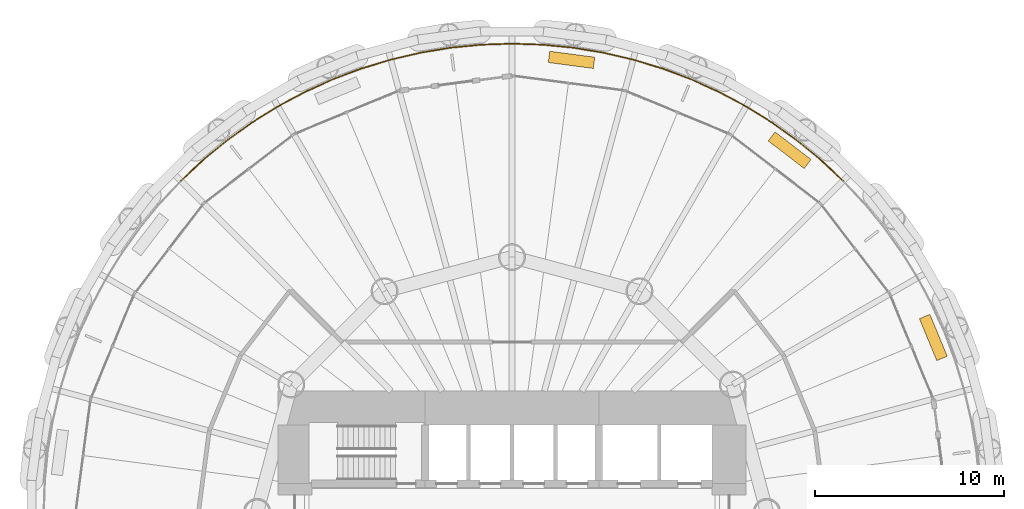
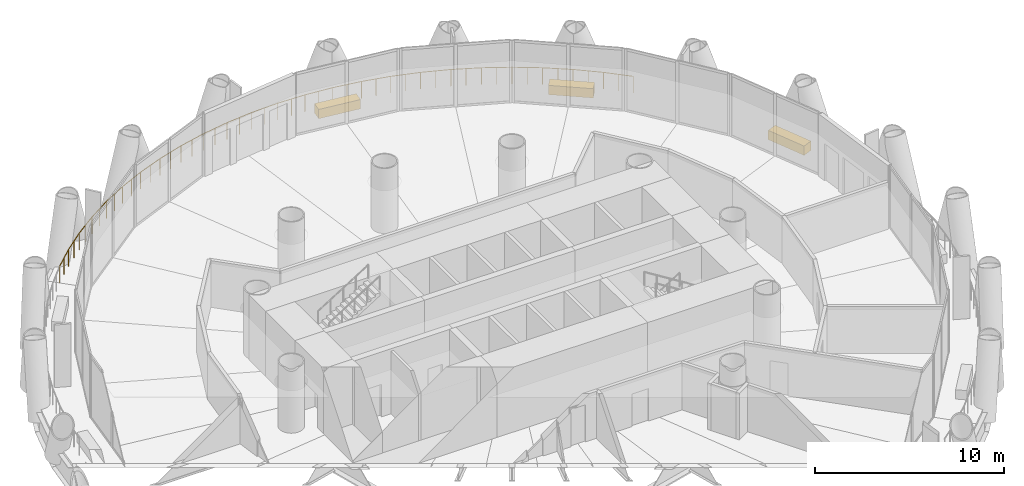
# One storey, part 16 of 16: 3 coverings, 1 railing.
"""IFC4 building model written with IfcOpenShell, lengths in metres."""

from ifc_helpers import new_model, si_unit, direction, frame, origin, origin_2d, place, context, subcontext, project, spatial, rectangle, circle, extrude, material, layer, layer_set, type_object, element, save


model = new_model("IFC4")

# Units and contexts
model_context = context("Model", 3, precision=1e-05, world=origin(), true_north=direction((0.0, 1.0)))
body_context = subcontext(model_context, "Body", "Model", "MODEL_VIEW")
ifc_project = project(units=[si_unit("LENGTHUNIT", "METRE"), si_unit("AREAUNIT", "SQUARE_METRE"), si_unit("VOLUMEUNIT", "CUBIC_METRE"), si_unit("PLANEANGLEUNIT", "RADIAN"), si_unit("MASSUNIT", "GRAM", prefix="KILO")], contexts=[model_context])

# Site, building, storey
site_placement = place(None, origin())
site = spatial("IfcSite", under=ifc_project, at=site_placement, CompositionType="ELEMENT")
building_placement = place(site_placement, origin())
building = spatial("IfcBuilding", under=site, at=building_placement, Name="Qaws Media Tower", CompositionType="ELEMENT")
storey_placement = place(building_placement, frame((0.0, 0.0, 80.60009765625)))
storey = spatial("IfcBuildingStorey", under=building, at=storey_placement, Name="L17", CompositionType="ELEMENT", Elevation=80.60009765625)

# Railing
ifc_material_1 = material(Name="Stainless steel and glass guard", Category="steel")
railing_type = type_object("IfcRailingType", Name="Balcony guard 1100", PredefinedType="GUARDRAIL", material=ifc_material_1)
railing_placement = place(storey_placement, frame((77.5361328125, 67.5361328125, 0.0)))
element("IfcRailing", 1, at=railing_placement, inside=storey, type_object=railing_type, Name="GR1 balcony guard L17-1", PredefinedType="GUARDRAIL", context=body_context, shape_type="SweptSolid", body=[
    extrude(circle(Radius=0.02392578125, at=origin_2d()), frame((0.0, 0.0, 1.076171875), z_axis=(-0.729823335563, 0.683635794022, 0.0), x_axis=(-0.683635794022, -0.729823335563, 0.0)), (0.0, 0.0, 1.0), 1.622802734375),
    extrude(circle(Radius=0.02392578125, at=origin_2d()), frame((-1.184326171875, 1.109375, 1.076171875), z_axis=(-0.773044998385, 0.634351188595, 0.0), x_axis=(-0.634351188595, -0.773044998385, 0.0)), (0.0, 0.0, 1.0), 1.623046875),
    extrude(circle(Radius=0.02392578125, at=origin_2d()), frame((-2.43896484375, 2.138916015625, 1.076171875), z_axis=(-0.812827812024, 0.582504032604, 0.0), x_axis=(-0.582504032604, -0.812827812024, 0.0)), (0.0, 0.0, 1.0), 1.622802734375),
    extrude(circle(Radius=0.02392578125, at=origin_2d()), frame((-3.758056640625, 3.084228515625, 1.076171875), z_axis=(-0.849154052867, 0.528145239967, 0.0), x_axis=(-0.528145239967, -0.849154052867, 0.0)), (0.0, 0.0, 1.0), 1.623046875),
    extrude(circle(Radius=0.02392578125, at=origin_2d()), frame((-5.13623046875, 3.94140625, 1.076171875), z_axis=(-0.881940295508, 0.471361130301, 0.0), x_axis=(-0.471361130301, -0.881940295508, 0.0)), (0.0, 0.0, 1.0), 1.622802734375),
    extrude(circle(Radius=0.02392578125, at=origin_2d()), frame((-6.5673828125, 4.706298828125, 1.076171875), z_axis=(-0.910891239734, 0.412646518677, 0.0), x_axis=(-0.412646518677, -0.910891239734, 0.0)), (0.0, 0.0, 1.0), 1.622802734375),
    extrude(circle(Radius=0.02392578125, at=origin_2d()), frame((-8.045654296875, 5.3759765625, 1.076171875), z_axis=(-0.935877089003, 0.352326658486, 0.0), x_axis=(-0.352326658486, -0.935877089003, 0.0)), (0.0, 0.0, 1.0), 1.622802734375),
    extrude(circle(Radius=0.02392578125, at=origin_2d()), frame((-9.564453125, 5.94775390625, 1.076171875), z_axis=(-0.956923127669, 0.290341398585, 0.0), x_axis=(-0.290341398585, -0.956923127669, 0.0)), (0.0, 0.0, 1.0), 1.622802734375),
    extrude(circle(Radius=0.02392578125, at=origin_2d()), frame((-11.117431640625, 6.4189453125, 1.076171875), z_axis=(-0.973894444351, 0.227001346389, 0.0), x_axis=(-0.227001346389, -0.973894444351, 0.0)), (0.0, 0.0, 1.0), 1.623046875),
    extrude(circle(Radius=0.02392578125, at=origin_2d()), frame((-12.697998046875, 6.787353515625, 1.076171875), z_axis=(-0.986636807112, 0.162934989647, 0.0), x_axis=(-0.162934989647, -0.986636807112, 0.0)), (0.0, 0.0, 1.0), 1.622802734375),
    extrude(circle(Radius=0.02392578125, at=origin_2d()), frame((-14.299072265625, 7.0517578125, 1.076171875), z_axis=(-0.995192364026, 0.097939565983, 0.0), x_axis=(-0.097939565983, -0.995192364026, 0.0)), (0.0, 0.0, 1.0), 1.622802734375),
    extrude(circle(Radius=0.02392578125, at=origin_2d()), frame((-15.9140625, 7.210693359375, 1.076171875), z_axis=(-0.999462135048, 0.032793911114, 0.0), x_axis=(-0.032793911114, -0.999462135048, 0.0)), (0.0, 0.0, 1.0), 1.623046875),
    extrude(circle(Radius=0.02392578125, at=origin_2d()), frame((-17.5361328125, 7.263916015625, 1.076171875), z_axis=(-0.999462135048, -0.032793911114, 0.0), x_axis=(0.032793911114, -0.999462135048, 0.0)), (0.0, 0.0, 1.0), 1.623046875),
    extrude(circle(Radius=0.02392578125, at=origin_2d()), frame((-19.158203125, 7.210693359375, 1.076171875), z_axis=(-0.995192364026, -0.097939565983, 0.0), x_axis=(0.097939565983, -0.995192364026, 0.0)), (0.0, 0.0, 1.0), 1.622802734375),
    extrude(circle(Radius=0.02392578125, at=origin_2d()), frame((-20.773193359375, 7.0517578125, 1.076171875), z_axis=(-0.986636807112, -0.162934989647, 0.0), x_axis=(0.162934989647, -0.986636807112, 0.0)), (0.0, 0.0, 1.0), 1.622802734375),
    extrude(circle(Radius=0.02392578125, at=origin_2d()), frame((-22.374267578125, 6.787353515625, 1.076171875), z_axis=(-0.973894444351, -0.227001346389, 0.0), x_axis=(0.227001346389, -0.973894444351, 0.0)), (0.0, 0.0, 1.0), 1.623046875),
    extrude(circle(Radius=0.02392578125, at=origin_2d()), frame((-23.954833984375, 6.4189453125, 1.076171875), z_axis=(-0.956923127669, -0.290341398585, 0.0), x_axis=(0.290341398585, -0.956923127669, 0.0)), (0.0, 0.0, 1.0), 1.622802734375),
    extrude(circle(Radius=0.02392578125, at=origin_2d()), frame((-25.5078125, 5.94775390625, 1.076171875), z_axis=(-0.935877089003, -0.352326658486, 0.0), x_axis=(0.352326658486, -0.935877089003, 0.0)), (0.0, 0.0, 1.0), 1.622802734375),
    extrude(circle(Radius=0.02392578125, at=origin_2d()), frame((-27.026611328125, 5.3759765625, 1.076171875), z_axis=(-0.910891239734, -0.412646518677, 0.0), x_axis=(0.412646518677, -0.910891239734, 0.0)), (0.0, 0.0, 1.0), 1.622802734375),
    extrude(circle(Radius=0.02392578125, at=origin_2d()), frame((-28.5048828125, 4.706298828125, 1.076171875), z_axis=(-0.881940295508, -0.471361130301, 0.0), x_axis=(0.471361130301, -0.881940295508, 0.0)), (0.0, 0.0, 1.0), 1.622802734375),
    extrude(circle(Radius=0.02392578125, at=origin_2d()), frame((-29.93603515625, 3.94140625, 1.076171875), z_axis=(-0.849154052867, -0.528145239967, 0.0), x_axis=(0.528145239967, -0.849154052867, 0.0)), (0.0, 0.0, 1.0), 1.623046875),
    extrude(circle(Radius=0.02392578125, at=origin_2d()), frame((-31.314208984375, 3.084228515625, 1.076171875), z_axis=(-0.812827812024, -0.582504032604, 0.0), x_axis=(0.582504032604, -0.812827812024, 0.0)), (0.0, 0.0, 1.0), 1.622802734375),
    extrude(circle(Radius=0.02392578125, at=origin_2d()), frame((-32.63330078125, 2.138916015625, 1.076171875), z_axis=(-0.773044998385, -0.634351188595, 0.0), x_axis=(0.634351188595, -0.773044998385, 0.0)), (0.0, 0.0, 1.0), 1.623046875),
    extrude(circle(Radius=0.02392578125, at=origin_2d()), frame((-33.887939453125, 1.109375, 1.076171875), z_axis=(-0.729823335563, -0.683635794022, 0.0), x_axis=(0.683635794022, -0.729823335563, 0.0)), (0.0, 0.0, 1.0), 1.622802734375),
    extrude(circle(Radius=0.02099609375, at=origin_2d()), origin(), (0.0, 0.0, 1.0), 1.052001953125),
    extrude(circle(Radius=0.02099609375, at=origin_2d()), frame((-0.59228515625, 0.5546875, 0.0)), (0.0, 0.0, 1.0), 1.052001953125),
    extrude(circle(Radius=0.02099609375, at=origin_2d()), frame((-1.184326171875, 1.109375, 0.0)), (0.0, 0.0, 1.0), 1.052001953125),
    extrude(circle(Radius=0.02099609375, at=origin_2d()), frame((-1.8115234375, 1.6240234375, 0.0)), (0.0, 0.0, 1.0), 1.052001953125),
    extrude(circle(Radius=0.02099609375, at=origin_2d()), frame((-2.43896484375, 2.138916015625, 0.0)), (0.0, 0.0, 1.0), 1.052001953125),
    extrude(circle(Radius=0.02099609375, at=origin_2d()), frame((-3.0986328125, 2.611572265625, 0.0)), (0.0, 0.0, 1.0), 1.052001953125),
    extrude(circle(Radius=0.02099609375, at=origin_2d()), frame((-3.758056640625, 3.084228515625, 0.0)), (0.0, 0.0, 1.0), 1.052001953125),
    extrude(circle(Radius=0.02099609375, at=origin_2d()), frame((-4.447265625, 3.5126953125, 0.0)), (0.0, 0.0, 1.0), 1.052001953125),
    extrude(circle(Radius=0.02099609375, at=origin_2d()), frame((-5.13623046875, 3.94140625, 0.0)), (0.0, 0.0, 1.0), 1.052001953125),
    extrude(circle(Radius=0.02099609375, at=origin_2d()), frame((-5.851806640625, 4.32373046875, 0.0)), (0.0, 0.0, 1.0), 1.052001953125),
    extrude(circle(Radius=0.02099609375, at=origin_2d()), frame((-6.5673828125, 4.706298828125, 0.0)), (0.0, 0.0, 1.0), 1.052001953125),
    extrude(circle(Radius=0.02099609375, at=origin_2d()), frame((-7.306640625, 5.041015625, 0.0)), (0.0, 0.0, 1.0), 1.052001953125),
    extrude(circle(Radius=0.02099609375, at=origin_2d()), frame((-8.045654296875, 5.3759765625, 0.0)), (0.0, 0.0, 1.0), 1.052001953125),
    extrude(circle(Radius=0.02099609375, at=origin_2d()), frame((-8.80517578125, 5.661865234375, 0.0)), (0.0, 0.0, 1.0), 1.052001953125),
    extrude(circle(Radius=0.02099609375, at=origin_2d()), frame((-9.564453125, 5.94775390625, 0.0)), (0.0, 0.0, 1.0), 1.052001953125),
    extrude(circle(Radius=0.02099609375, at=origin_2d()), frame((-10.3408203125, 6.183349609375, 0.0)), (0.0, 0.0, 1.0), 1.052001953125),
    extrude(circle(Radius=0.02099609375, at=origin_2d()), frame((-11.117431640625, 6.4189453125, 0.0)), (0.0, 0.0, 1.0), 1.052001953125),
    extrude(circle(Radius=0.02099609375, at=origin_2d()), frame((-11.90771484375, 6.60302734375, 0.0)), (0.0, 0.0, 1.0), 1.052001953125),
    extrude(circle(Radius=0.02099609375, at=origin_2d()), frame((-12.697998046875, 6.787353515625, 0.0)), (0.0, 0.0, 1.0), 1.052001953125),
    extrude(circle(Radius=0.02099609375, at=origin_2d()), frame((-13.49853515625, 6.91943359375, 0.0)), (0.0, 0.0, 1.0), 1.052001953125),
    extrude(circle(Radius=0.02099609375, at=origin_2d()), frame((-14.299072265625, 7.0517578125, 0.0)), (0.0, 0.0, 1.0), 1.052001953125),
    extrude(circle(Radius=0.02099609375, at=origin_2d()), frame((-15.1064453125, 7.13134765625, 0.0)), (0.0, 0.0, 1.0), 1.052001953125),
    extrude(circle(Radius=0.02099609375, at=origin_2d()), frame((-15.9140625, 7.210693359375, 0.0)), (0.0, 0.0, 1.0), 1.052001953125),
    extrude(circle(Radius=0.02099609375, at=origin_2d()), frame((-16.72509765625, 7.2373046875, 0.0)), (0.0, 0.0, 1.0), 1.052001953125),
    extrude(circle(Radius=0.02099609375, at=origin_2d()), frame((-17.5361328125, 7.263916015625, 0.0)), (0.0, 0.0, 1.0), 1.052001953125),
    extrude(circle(Radius=0.02099609375, at=origin_2d()), frame((-18.34716796875, 7.2373046875, 0.0)), (0.0, 0.0, 1.0), 1.052001953125),
    extrude(circle(Radius=0.02099609375, at=origin_2d()), frame((-19.158203125, 7.210693359375, 0.0)), (0.0, 0.0, 1.0), 1.052001953125),
    extrude(circle(Radius=0.02099609375, at=origin_2d()), frame((-19.9658203125, 7.13134765625, 0.0)), (0.0, 0.0, 1.0), 1.052001953125),
    extrude(circle(Radius=0.02099609375, at=origin_2d()), frame((-20.773193359375, 7.0517578125, 0.0)), (0.0, 0.0, 1.0), 1.052001953125),
    extrude(circle(Radius=0.02099609375, at=origin_2d()), frame((-21.57373046875, 6.91943359375, 0.0)), (0.0, 0.0, 1.0), 1.052001953125),
    extrude(circle(Radius=0.02099609375, at=origin_2d()), frame((-22.374267578125, 6.787353515625, 0.0)), (0.0, 0.0, 1.0), 1.052001953125),
    extrude(circle(Radius=0.02099609375, at=origin_2d()), frame((-23.16455078125, 6.60302734375, 0.0)), (0.0, 0.0, 1.0), 1.052001953125),
    extrude(circle(Radius=0.02099609375, at=origin_2d()), frame((-23.954833984375, 6.4189453125, 0.0)), (0.0, 0.0, 1.0), 1.052001953125),
    extrude(circle(Radius=0.02099609375, at=origin_2d()), frame((-24.7314453125, 6.183349609375, 0.0)), (0.0, 0.0, 1.0), 1.052001953125),
    extrude(circle(Radius=0.02099609375, at=origin_2d()), frame((-25.5078125, 5.94775390625, 0.0)), (0.0, 0.0, 1.0), 1.052001953125),
    extrude(circle(Radius=0.02099609375, at=origin_2d()), frame((-26.26708984375, 5.661865234375, 0.0)), (0.0, 0.0, 1.0), 1.052001953125),
    extrude(circle(Radius=0.02099609375, at=origin_2d()), frame((-27.026611328125, 5.3759765625, 0.0)), (0.0, 0.0, 1.0), 1.052001953125),
    extrude(circle(Radius=0.02099609375, at=origin_2d()), frame((-27.765625, 5.041015625, 0.0)), (0.0, 0.0, 1.0), 1.052001953125),
    extrude(circle(Radius=0.02099609375, at=origin_2d()), frame((-28.5048828125, 4.706298828125, 0.0)), (0.0, 0.0, 1.0), 1.052001953125),
    extrude(circle(Radius=0.02099609375, at=origin_2d()), frame((-29.220458984375, 4.32373046875, 0.0)), (0.0, 0.0, 1.0), 1.052001953125),
    extrude(circle(Radius=0.02099609375, at=origin_2d()), frame((-29.93603515625, 3.94140625, 0.0)), (0.0, 0.0, 1.0), 1.052001953125),
    extrude(circle(Radius=0.02099609375, at=origin_2d()), frame((-30.625, 3.5126953125, 0.0)), (0.0, 0.0, 1.0), 1.052001953125),
    extrude(circle(Radius=0.02099609375, at=origin_2d()), frame((-31.314208984375, 3.084228515625, 0.0)), (0.0, 0.0, 1.0), 1.052001953125),
    extrude(circle(Radius=0.02099609375, at=origin_2d()), frame((-31.9736328125, 2.611572265625, 0.0)), (0.0, 0.0, 1.0), 1.052001953125),
    extrude(circle(Radius=0.02099609375, at=origin_2d()), frame((-32.63330078125, 2.138916015625, 0.0)), (0.0, 0.0, 1.0), 1.052001953125),
    extrude(circle(Radius=0.02099609375, at=origin_2d()), frame((-33.2607421875, 1.6240234375, 0.0)), (0.0, 0.0, 1.0), 1.052001953125),
    extrude(circle(Radius=0.02099609375, at=origin_2d()), frame((-33.887939453125, 1.109375, 0.0)), (0.0, 0.0, 1.0), 1.052001953125),
    extrude(circle(Radius=0.02099609375, at=origin_2d()), frame((-34.47998046875, 0.5546875, 0.0)), (0.0, 0.0, 1.0), 1.052001953125),
    extrude(circle(Radius=0.02099609375, at=origin_2d()), frame((-35.072265625, 0.0, 0.0)), (0.0, 0.0, 1.0), 1.052001953125),
])

# Coverings
ifc_material_2 = material(Name="Precast concrete planter with trailing planting", Category="concrete")
ifc_layer = layer(ifc_material_2, 0.60009765625)
ifc_layer_set = layer_set([ifc_layer], Name="Planter 2400x600")
covering_type = type_object("IfcCoveringType", Name="Planter 2400x600", PredefinedType="USERDEFINED", material=ifc_layer_set)
for number, where, z_axis, x_axis, name in (
    (2, (82.311767578125, 59.24169921875, -0.000244140625), (0.0, 0.0, 1.0), (-0.382683432365, 0.923879532511, 0.0), "PL1 balcony planter L17-01"),
    (3, (74.70166015625, 69.159423828125, -0.000244140625), (0.0, 0.0, 1.0), (-0.793353340291, 0.608761429009, 0.0), "PL1 balcony planter L17-02"),
    (4, (63.152099609375, 73.943359375, -0.000244140625), (0.0, 0.0, 1.0), (-0.991444861374, 0.13052619222, 0.0), "PL1 balcony planter L17-03"),
):
    element("IfcCovering", number, at=place(storey_placement, frame(where, z_axis=z_axis, x_axis=x_axis)), inside=storey, type_object=covering_type, Name=name, ObjectType="PLANTER", PredefinedType="USERDEFINED", context=body_context, shape_type="SweptSolid", body=[
        extrude(rectangle(XDim=2.39990234375, YDim=0.60009765625, at=origin_2d()), origin(), (0.0, 0.0, 1.0), 0.60009765625),
    ])

save(model, "model.ifc")
